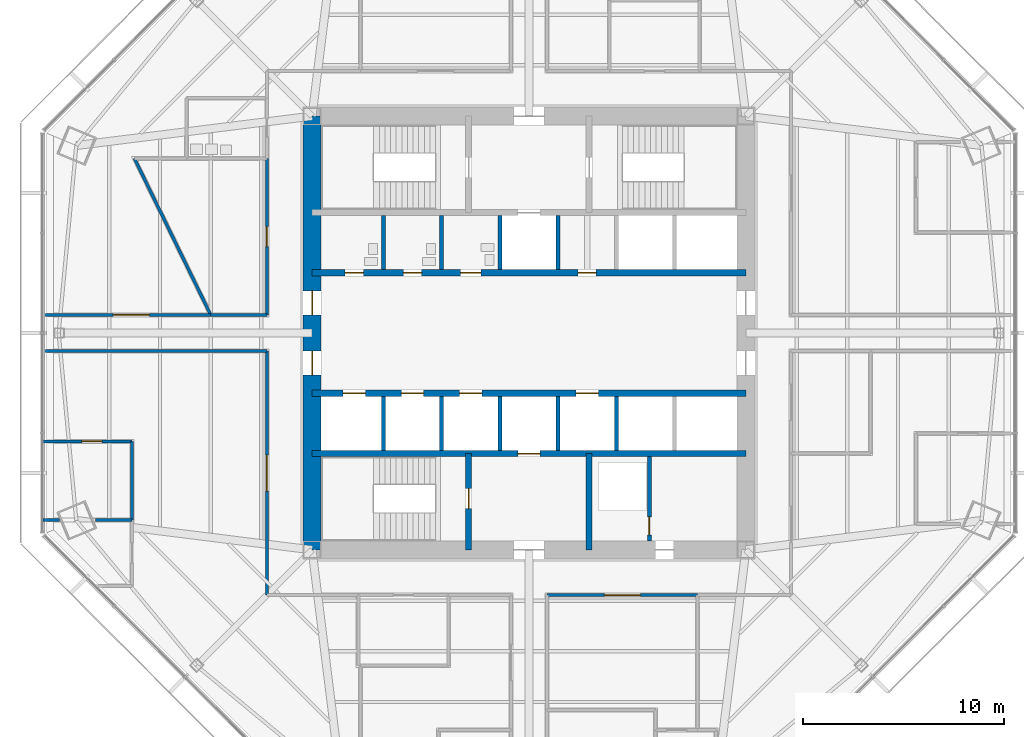
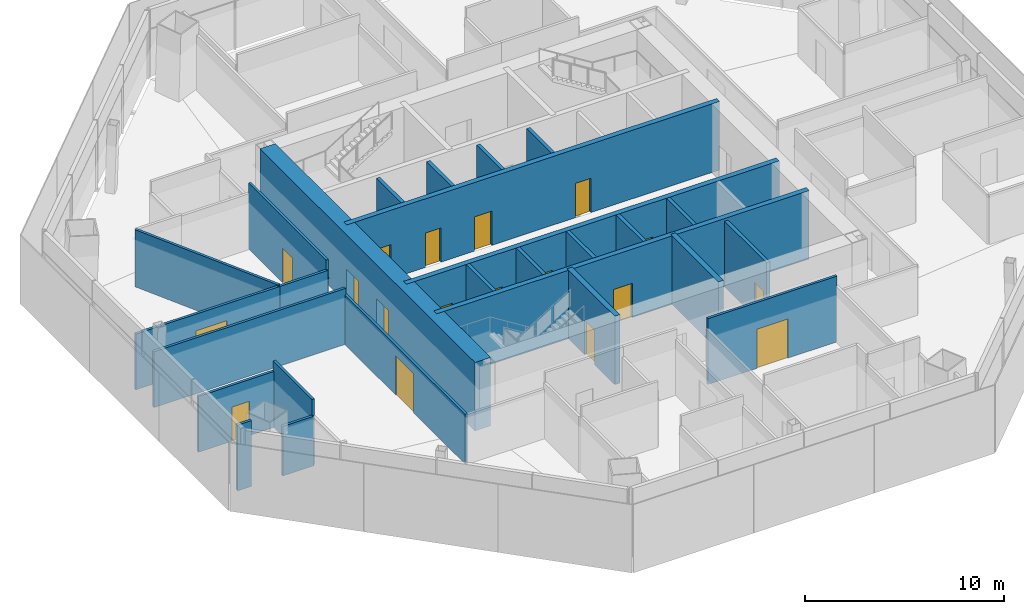
# One storey, part 9 of 14: 27 walls, 18 doors, 18 openings.
"""IFC4 building model written with IfcOpenShell, lengths in metres."""

from ifc_helpers import new_model, si_unit, direction, frame, frame_2d, origin, place, context, subcontext, project, spatial, rectangle, extrude, material, layer, layer_set, type_object, element, fill, save


model = new_model("IFC4")

# Units and contexts
model_context = context("Model", 3, precision=1e-05, world=origin(), true_north=direction((0.0, 1.0)))
body_context = subcontext(model_context, "Body", "Model", "MODEL_VIEW")
ifc_project = project(units=[si_unit("LENGTHUNIT", "METRE"), si_unit("AREAUNIT", "SQUARE_METRE"), si_unit("VOLUMEUNIT", "CUBIC_METRE"), si_unit("PLANEANGLEUNIT", "RADIAN"), si_unit("MASSUNIT", "GRAM", prefix="KILO")], contexts=[model_context])

# Site, building, storey
site_placement = place(None, origin())
site = spatial("IfcSite", under=ifc_project, at=site_placement, CompositionType="ELEMENT")
building_placement = place(site_placement, origin())
building = spatial("IfcBuilding", under=site, at=building_placement, Name="Mashrafa Tower", CompositionType="ELEMENT")
storey_placement = place(building_placement, frame((0.0, 0.0, 134.39990234375)))
storey = spatial("IfcBuildingStorey", under=building, at=storey_placement, Name="L30", CompositionType="ELEMENT", Elevation=134.39990234375)

# Wall, opening, door
ifc_material_1 = material(Name="Concrete masonry unit", Category="masonry")
ifc_layer_1 = layer(ifc_material_1, 0.199951171875)
ifc_layer_set_1 = layer_set([ifc_layer_1], Name="Blockwork wall 200 2 hr")
wall_type_1 = type_object("IfcWallType", Name="Blockwork wall 200 2 hr", PredefinedType="PARTITIONING", material=ifc_layer_set_1)
wall_1_placement = place(storey_placement, frame((6.0, -10.35009765625, 0.0), z_axis=(0.0, 0.0, 1.0), x_axis=(0.0, 1.0, 0.0)))
wall_1 = element("IfcWall", 1, at=wall_1_placement, inside=storey, type_object=wall_type_1, Name="Riser enclosure wall L30", PredefinedType="PARTITIONING", context=body_context, shape_type="SweptSolid", body=[
    extrude(rectangle(XDim=4.2001953125, YDim=0.199951171875, at=frame_2d((2.10009765625, 0.0))), origin(), (0.0, 0.0, 1.0), 4.03515625),
])
opening_1_placement = place(wall_1_placement, frame((0.300048828125, 0.0, 0.0)))
opening_1 = element("IfcOpeningElement", 2, at=opening_1_placement, cuts=wall_1, Name="Opening 30.032", PredefinedType="OPENING", context=body_context, shape_type="SweptSolid", body=[
    extrude(rectangle(XDim=0.89990234375, YDim=2.10009765625, at=frame_2d((0.449951171875, 1.050048828125))), frame((0.0, 0.10986328125, 0.0), z_axis=(0.0, -1.0, 0.0), x_axis=(1.0, 0.0, 0.0)), (0.0, 0.0, 1.0), 0.219970703125),
])
ifc_material_2 = material(Name="Steel door", Category="steel")
door_type_1 = type_object("IfcDoorType", Name="Service door 900 x 2100 90 min", OperationType="USERDEFINED", PredefinedType="DOOR", material=ifc_material_2)
door_1_placement = place(opening_1_placement, origin())
door_1 = element("IfcDoor", 3, at=door_1_placement, inside=storey, type_object=door_type_1, Name="Riser door L30", OperationType="SINGLE_SWING_LEFT", OverallHeight=2.10009765625, OverallWidth=0.89990234375, PredefinedType="DOOR", context=body_context, shape_type="SweptSolid", body=[
    extrude(rectangle(XDim=0.89990234375, YDim=2.10009765625, at=frame_2d((0.449951171875, 1.050048828125))), frame((0.0, 0.02490234375, 0.0), z_axis=(0.0, -1.0, 0.0), x_axis=(1.0, 0.0, 0.0)), (0.0, 0.0, 1.0), 0.050048828125),
])
fill(opening_1, door_1)

# Wall, openings, doors
ifc_material_3 = material(Name="Concrete C60/75", Category="concrete")
ifc_layer_2 = layer(ifc_material_3, 0.300048828125)
ifc_layer_set_2 = layer_set([ifc_layer_2], Name="Core wall 300 C60/75")
wall_type_2 = type_object("IfcWallType", Name="Core wall 300 C60/75", PredefinedType="SOLIDWALL", material=ifc_layer_set_2)
wall_2_placement = place(storey_placement, frame((-10.800048828125, 3.0, 0.0), z_axis=(0.0, 0.0, 1.0), x_axis=(1.0, 0.0, 0.0)))
wall_2 = element("IfcWall", 4, at=wall_2_placement, inside=storey, type_object=wall_type_2, Name="Core wall CH-N L30", PredefinedType="SOLIDWALL", context=body_context, shape_type="SweptSolid", body=[
    extrude(rectangle(XDim=21.60009765625, YDim=0.300048828125, at=frame_2d((10.800048828125, 0.0))), origin(), (0.0, 0.0, 1.0), 4.2001953125),
])
opening_2_placement = place(wall_2_placement, frame((1.64990234375, 0.0, 0.0)))
opening_2 = element("IfcOpeningElement", 5, at=opening_2_placement, cuts=wall_2, Name="Opening 30.033", PredefinedType="OPENING", context=body_context, shape_type="SweptSolid", body=[
    extrude(rectangle(XDim=0.89990234375, YDim=2.10009765625, at=frame_2d((0.449951171875, 1.050048828125))), frame((0.0, 0.159912109375, 0.0), z_axis=(0.0, -1.0, 0.0), x_axis=(1.0, 0.0, 0.0)), (0.0, 0.0, 1.0), 0.320068359375),
])
opening_3_placement = place(wall_2_placement, frame((4.550048828125, 0.0, 0.0)))
opening_3 = element("IfcOpeningElement", 6, at=opening_3_placement, cuts=wall_2, Name="Opening 30.034", PredefinedType="OPENING", context=body_context, shape_type="SweptSolid", body=[
    extrude(rectangle(XDim=0.89990234375, YDim=2.10009765625, at=frame_2d((0.449951171875, 1.050048828125))), frame((0.0, 0.159912109375, 0.0), z_axis=(0.0, -1.0, 0.0), x_axis=(1.0, 0.0, 0.0)), (0.0, 0.0, 1.0), 0.320068359375),
])
opening_4_placement = place(wall_2_placement, frame((7.39990234375, 0.0, 0.0)))
opening_4 = element("IfcOpeningElement", 7, at=opening_4_placement, cuts=wall_2, Name="Opening 30.035", PredefinedType="OPENING", context=body_context, shape_type="SweptSolid", body=[
    extrude(rectangle(XDim=1.0, YDim=2.10009765625, at=frame_2d((0.5, 1.050048828125))), frame((0.0, 0.159912109375, 0.0), z_axis=(0.0, -1.0, 0.0), x_axis=(1.0, 0.0, 0.0)), (0.0, 0.0, 1.0), 0.320068359375),
])
opening_5_placement = place(wall_2_placement, frame((13.25, 0.0, 0.0)))
opening_5 = element("IfcOpeningElement", 8, at=opening_5_placement, cuts=wall_2, Name="Opening 30.036", PredefinedType="OPENING", context=body_context, shape_type="SweptSolid", body=[
    extrude(rectangle(XDim=0.89990234375, YDim=2.10009765625, at=frame_2d((0.449951171875, 1.050048828125))), frame((0.0, 0.159912109375, 0.0), z_axis=(0.0, -1.0, 0.0), x_axis=(1.0, 0.0, 0.0)), (0.0, 0.0, 1.0), 0.320068359375),
])
ifc_material_4 = material(Name="Timber door", Category="wood")
door_type_2 = type_object("IfcDoorType", Name="Accessible toilet door 1000 x 2100", OperationType="USERDEFINED", PredefinedType="DOOR", material=ifc_material_4)
door_2_placement = place(opening_4_placement, origin())
door_2 = element("IfcDoor", 9, at=door_2_placement, inside=storey, type_object=door_type_2, Name="Accessible WC L30 door", OperationType="SINGLE_SWING_LEFT", OverallHeight=2.10009765625, OverallWidth=1.0, PredefinedType="DOOR", context=body_context, shape_type="SweptSolid", body=[
    extrude(rectangle(XDim=1.0, YDim=2.10009765625, at=frame_2d((0.5, 1.050048828125))), frame((0.0, 0.02490234375, 0.0), z_axis=(0.0, -1.0, 0.0), x_axis=(1.0, 0.0, 0.0)), (0.0, 0.0, 1.0), 0.050048828125),
])
fill(opening_4, door_2)
ifc_material_5 = material(Name="Timber door", Category="wood")
door_type_3 = type_object("IfcDoorType", Name="Store door 900 x 2100", OperationType="USERDEFINED", PredefinedType="DOOR", material=ifc_material_5)
door_3_placement = place(opening_5_placement, origin())
door_3 = element("IfcDoor", 10, at=door_3_placement, inside=storey, type_object=door_type_3, Name="Cleaner's Store L30 door", OperationType="SINGLE_SWING_LEFT", OverallHeight=2.10009765625, OverallWidth=0.89990234375, PredefinedType="DOOR", context=body_context, shape_type="SweptSolid", body=[
    extrude(rectangle(XDim=0.89990234375, YDim=2.10009765625, at=frame_2d((0.449951171875, 1.050048828125))), frame((0.0, 0.02490234375, 0.0), z_axis=(0.0, -1.0, 0.0), x_axis=(1.0, 0.0, 0.0)), (0.0, 0.0, 1.0), 0.050048828125),
])
fill(opening_5, door_3)
ifc_material_6 = material(Name="Timber door", Category="wood")
door_type_4 = type_object("IfcDoorType", Name="Toilet door 900 x 2100", OperationType="USERDEFINED", PredefinedType="DOOR", material=ifc_material_6)
door_4_placement = place(opening_2_placement, origin())
door_4 = element("IfcDoor", 11, at=door_4_placement, inside=storey, type_object=door_type_4, Name="WC Male L30 door", OperationType="SINGLE_SWING_RIGHT", OverallHeight=2.10009765625, OverallWidth=0.89990234375, PredefinedType="DOOR", context=body_context, shape_type="SweptSolid", body=[
    extrude(rectangle(XDim=0.89990234375, YDim=2.10009765625, at=frame_2d((0.449951171875, 1.050048828125))), frame((0.0, 0.02490234375, 0.0), z_axis=(0.0, -1.0, 0.0), x_axis=(1.0, 0.0, 0.0)), (0.0, 0.0, 1.0), 0.050048828125),
])
fill(opening_2, door_4)
door_5_placement = place(opening_3_placement, origin())
door_5 = element("IfcDoor", 12, at=door_5_placement, inside=storey, type_object=door_type_4, Name="WC Female L30 door", OperationType="SINGLE_SWING_LEFT", OverallHeight=2.10009765625, OverallWidth=0.89990234375, PredefinedType="DOOR", context=body_context, shape_type="SweptSolid", body=[
    extrude(rectangle(XDim=0.89990234375, YDim=2.10009765625, at=frame_2d((0.449951171875, 1.050048828125))), frame((0.0, 0.02490234375, 0.0), z_axis=(0.0, -1.0, 0.0), x_axis=(1.0, 0.0, 0.0)), (0.0, 0.0, 1.0), 0.050048828125),
])
fill(opening_3, door_5)

wall_3_placement = place(storey_placement, frame((-10.800048828125, -3.0, 0.0), z_axis=(0.0, 0.0, 1.0), x_axis=(1.0, 0.0, 0.0)))
wall_3 = element("IfcWall", 13, at=wall_3_placement, inside=storey, type_object=wall_type_2, Name="Core wall CH-S L30", PredefinedType="SOLIDWALL", context=body_context, shape_type="SweptSolid", body=[
    extrude(rectangle(XDim=21.60009765625, YDim=0.300048828125, at=frame_2d((10.800048828125, 0.0))), origin(), (0.0, 0.0, 1.0), 4.2001953125),
])
opening_6_placement = place(wall_3_placement, frame((1.550048828125, 0.0, 0.0)))
opening_6 = element("IfcOpeningElement", 14, at=opening_6_placement, cuts=wall_3, Name="Opening 30.B1", PredefinedType="OPENING", context=body_context, shape_type="SweptSolid", body=[
    extrude(rectangle(XDim=1.10009765625, YDim=2.10009765625, at=frame_2d((0.550048828125, 1.050048828125))), frame((0.0, 0.159912109375, 0.0), z_axis=(0.0, -1.0, 0.0), x_axis=(1.0, 0.0, 0.0)), (0.0, 0.0, 1.0), 0.320068359375),
])
opening_7_placement = place(wall_3_placement, frame((4.449951171875, 0.0, 0.0)))
opening_7 = element("IfcOpeningElement", 15, at=opening_7_placement, cuts=wall_3, Name="Opening 30.B2", PredefinedType="OPENING", context=body_context, shape_type="SweptSolid", body=[
    extrude(rectangle(XDim=1.10009765625, YDim=2.10009765625, at=frame_2d((0.550048828125, 1.050048828125))), frame((0.0, 0.159912109375, 0.0), z_axis=(0.0, -1.0, 0.0), x_axis=(1.0, 0.0, 0.0)), (0.0, 0.0, 1.0), 0.320068359375),
])
opening_8_placement = place(wall_3_placement, frame((7.35009765625, 0.0, 0.0)))
opening_8 = element("IfcOpeningElement", 16, at=opening_8_placement, cuts=wall_3, Name="Opening 30.B3", PredefinedType="OPENING", context=body_context, shape_type="SweptSolid", body=[
    extrude(rectangle(XDim=1.10009765625, YDim=2.10009765625, at=frame_2d((0.550048828125, 1.050048828125))), frame((0.0, 0.159912109375, 0.0), z_axis=(0.0, -1.0, 0.0), x_axis=(1.0, 0.0, 0.0)), (0.0, 0.0, 1.0), 0.320068359375),
])
opening_9_placement = place(wall_3_placement, frame((13.14990234375, 0.0, 0.0)))
opening_9 = element("IfcOpeningElement", 17, at=opening_9_placement, cuts=wall_3, Name="Opening 30.B4", PredefinedType="OPENING", context=body_context, shape_type="SweptSolid", body=[
    extrude(rectangle(XDim=1.10009765625, YDim=2.10009765625, at=frame_2d((0.550048828125, 1.050048828125))), frame((0.0, 0.159912109375, 0.0), z_axis=(0.0, -1.0, 0.0), x_axis=(1.0, 0.0, 0.0)), (0.0, 0.0, 1.0), 0.320068359375),
])
ifc_material_7 = material(Name="Steel door", Category="steel")
door_type_5 = type_object("IfcDoorType", Name="Lift landing door 1100 x 2100 90 min", OperationType="DOUBLE_DOOR_SLIDING", PredefinedType="DOOR", material=ifc_material_7)
door_6_placement = place(opening_6_placement, origin())
door_6 = element("IfcDoor", 18, at=door_6_placement, inside=storey, type_object=door_type_5, Name="Lift landing door B1 L30", OperationType="DOUBLE_DOOR_SLIDING", OverallHeight=2.10009765625, OverallWidth=1.10009765625, PredefinedType="DOOR", context=body_context, shape_type="SweptSolid", body=[
    extrude(rectangle(XDim=1.10009765625, YDim=2.10009765625, at=frame_2d((0.550048828125, 1.050048828125))), frame((0.0, 0.02490234375, 0.0), z_axis=(0.0, -1.0, 0.0), x_axis=(1.0, 0.0, 0.0)), (0.0, 0.0, 1.0), 0.050048828125),
])
fill(opening_6, door_6)
door_7_placement = place(opening_7_placement, origin())
door_7 = element("IfcDoor", 19, at=door_7_placement, inside=storey, type_object=door_type_5, Name="Lift landing door B2 L30", OperationType="DOUBLE_DOOR_SLIDING", OverallHeight=2.10009765625, OverallWidth=1.10009765625, PredefinedType="DOOR", context=body_context, shape_type="SweptSolid", body=[
    extrude(rectangle(XDim=1.10009765625, YDim=2.10009765625, at=frame_2d((0.550048828125, 1.050048828125))), frame((0.0, 0.02490234375, 0.0), z_axis=(0.0, -1.0, 0.0), x_axis=(1.0, 0.0, 0.0)), (0.0, 0.0, 1.0), 0.050048828125),
])
fill(opening_7, door_7)
door_8_placement = place(opening_8_placement, origin())
door_8 = element("IfcDoor", 20, at=door_8_placement, inside=storey, type_object=door_type_5, Name="Lift landing door B3 L30", OperationType="DOUBLE_DOOR_SLIDING", OverallHeight=2.10009765625, OverallWidth=1.10009765625, PredefinedType="DOOR", context=body_context, shape_type="SweptSolid", body=[
    extrude(rectangle(XDim=1.10009765625, YDim=2.10009765625, at=frame_2d((0.550048828125, 1.050048828125))), frame((0.0, 0.02490234375, 0.0), z_axis=(0.0, -1.0, 0.0), x_axis=(1.0, 0.0, 0.0)), (0.0, 0.0, 1.0), 0.050048828125),
])
fill(opening_8, door_8)
door_9_placement = place(opening_9_placement, origin())
door_9 = element("IfcDoor", 21, at=door_9_placement, inside=storey, type_object=door_type_5, Name="Lift landing door B4 L30", OperationType="DOUBLE_DOOR_SLIDING", OverallHeight=2.10009765625, OverallWidth=1.10009765625, PredefinedType="DOOR", context=body_context, shape_type="SweptSolid", body=[
    extrude(rectangle(XDim=1.10009765625, YDim=2.10009765625, at=frame_2d((0.550048828125, 1.050048828125))), frame((0.0, 0.02490234375, 0.0), z_axis=(0.0, -1.0, 0.0), x_axis=(1.0, 0.0, 0.0)), (0.0, 0.0, 1.0), 0.050048828125),
])
fill(opening_9, door_9)

# Wall, opening, door
wall_4_placement = place(storey_placement, frame((-10.800048828125, -6.0, 0.0), z_axis=(0.0, 0.0, 1.0), x_axis=(1.0, 0.0, 0.0)))
wall_4 = element("IfcWall", 22, at=wall_4_placement, inside=storey, type_object=wall_type_2, Name="Core wall CB-S L30", PredefinedType="SOLIDWALL", context=body_context, shape_type="SweptSolid", body=[
    extrude(rectangle(XDim=21.60009765625, YDim=0.300048828125, at=frame_2d((10.800048828125, 0.0))), origin(), (0.0, 0.0, 1.0), 4.2001953125),
])
opening_10_placement = place(wall_4_placement, frame((10.25, 0.0, 0.0)))
opening_10 = element("IfcOpeningElement", 23, at=opening_10_placement, cuts=wall_4, Name="Opening 30.F2", PredefinedType="OPENING", context=body_context, shape_type="SweptSolid", body=[
    extrude(rectangle(XDim=1.10009765625, YDim=2.10009765625, at=frame_2d((0.550048828125, 1.050048828125))), frame((0.0, 0.159912109375, 0.0), z_axis=(0.0, -1.0, 0.0), x_axis=(1.0, 0.0, 0.0)), (0.0, 0.0, 1.0), 0.320068359375),
])
door_10_placement = place(opening_10_placement, origin())
door_10 = element("IfcDoor", 24, at=door_10_placement, inside=storey, type_object=door_type_5, Name="Lift landing door F2 L30", OperationType="DOUBLE_DOOR_SLIDING", OverallHeight=2.10009765625, OverallWidth=1.10009765625, PredefinedType="DOOR", context=body_context, shape_type="SweptSolid", body=[
    extrude(rectangle(XDim=1.10009765625, YDim=2.10009765625, at=frame_2d((0.550048828125, 1.050048828125))), frame((0.0, 0.02490234375, 0.0), z_axis=(0.0, -1.0, 0.0), x_axis=(1.0, 0.0, 0.0)), (0.0, 0.0, 1.0), 0.050048828125),
])
fill(opening_10, door_10)

wall_5_placement = place(storey_placement, frame((-3.0, -6.0, 0.0), z_axis=(0.0, 0.0, 1.0), x_axis=(0.0, -1.0, 0.0)))
wall_5 = element("IfcWall", 25, at=wall_5_placement, inside=storey, type_object=wall_type_2, Name="Core wall CX-SW L30", PredefinedType="SOLIDWALL", context=body_context, shape_type="SweptSolid", body=[
    extrude(rectangle(XDim=4.800048828125, YDim=0.300048828125, at=frame_2d((2.39990234375, 0.0))), origin(), (0.0, 0.0, 1.0), 4.2001953125),
])
opening_11_placement = place(wall_5_placement, frame((1.75, 0.0, 0.0)))
opening_11 = element("IfcOpeningElement", 26, at=opening_11_placement, cuts=wall_5, Name="Opening 30.030", PredefinedType="OPENING", context=body_context, shape_type="SweptSolid", body=[
    extrude(rectangle(XDim=1.0, YDim=2.10009765625, at=frame_2d((0.5, 1.050048828125))), frame((0.0, 0.159912109375, 0.0), z_axis=(0.0, -1.0, 0.0), x_axis=(1.0, 0.0, 0.0)), (0.0, 0.0, 1.0), 0.320068359375),
])
ifc_material_8 = material(Name="Steel door", Category="steel")
door_type_6 = type_object("IfcDoorType", Name="Stair door 1000 x 2100 90 min", OperationType="USERDEFINED", PredefinedType="DOOR", material=ifc_material_8)
door_11_placement = place(opening_11_placement, frame((1.0, 0.0, 0.0), z_axis=(0.0, 0.0, 1.0), x_axis=(-1.0, 0.0, 0.0)))
door_11 = element("IfcDoor", 27, at=door_11_placement, inside=storey, type_object=door_type_6, Name="Stair S3 door L30", OperationType="SINGLE_SWING_RIGHT", OverallHeight=2.10009765625, OverallWidth=1.0, PredefinedType="DOOR", context=body_context, shape_type="SweptSolid", body=[
    extrude(rectangle(XDim=1.0, YDim=2.10009765625, at=frame_2d((0.5, 1.050048828125))), frame((0.0, 0.02490234375, 0.0), z_axis=(0.0, -1.0, 0.0), x_axis=(1.0, 0.0, 0.0)), (0.0, 0.0, 1.0), 0.050048828125),
])
fill(opening_11, door_11)

# Wall
wall_6_placement = place(storey_placement, frame((3.0, -6.0, 0.0), z_axis=(0.0, 0.0, 1.0), x_axis=(0.0, -1.0, 0.0)))
element("IfcWall", 28, at=wall_6_placement, inside=storey, type_object=wall_type_2, Name="Core wall CX-SE L30", PredefinedType="SOLIDWALL", context=body_context, shape_type="SweptSolid", body=[
    extrude(rectangle(XDim=4.800048828125, YDim=0.300048828125, at=frame_2d((2.39990234375, 0.0))), origin(), (0.0, 0.0, 1.0), 4.2001953125),
])

# Wall, openings, doors
ifc_material_9 = material(Name="Concrete C60/75", Category="concrete")
ifc_layer_3 = layer(ifc_material_9, 0.89990234375)
ifc_layer_set_3 = layer_set([ifc_layer_3], Name="Core wall 900 C60/75")
wall_type_3 = type_object("IfcWallType", Name="Core wall 900 C60/75", PredefinedType="SOLIDWALL", material=ifc_layer_set_3)
wall_7_placement = place(storey_placement, frame((-10.800048828125, 10.800048828125, 0.0), z_axis=(0.0, 0.0, 1.0), x_axis=(0.0, -1.0, 0.0)))
wall_7 = element("IfcWall", 29, at=wall_7_placement, inside=storey, type_object=wall_type_3, Name="Core wall CW-W L30", PredefinedType="SOLIDWALL", context=body_context, shape_type="SweptSolid", body=[
    extrude(rectangle(XDim=21.60009765625, YDim=0.89990234375, at=frame_2d((10.800048828125, 0.0))), origin(), (0.0, 0.0, 1.0), 4.2001953125),
])
opening_12_placement = place(wall_7_placement, frame((8.699951171875, 0.0, 0.0)))
opening_12 = element("IfcOpeningElement", 30, at=opening_12_placement, cuts=wall_7, Name="Opening 30.023", PredefinedType="OPENING", context=body_context, shape_type="SweptSolid", body=[
    extrude(rectangle(XDim=1.199951171875, YDim=2.10009765625, at=frame_2d((0.60009765625, 1.050048828125))), frame((0.0, 0.4599609375, 0.0), z_axis=(0.0, -1.0, 0.0), x_axis=(1.0, 0.0, 0.0)), (0.0, 0.0, 1.0), 0.919921875),
])
opening_13_placement = place(wall_7_placement, frame((11.699951171875, 0.0, 0.0)))
opening_13 = element("IfcOpeningElement", 31, at=opening_13_placement, cuts=wall_7, Name="Opening 30.025", PredefinedType="OPENING", context=body_context, shape_type="SweptSolid", body=[
    extrude(rectangle(XDim=1.199951171875, YDim=2.10009765625, at=frame_2d((0.60009765625, 1.050048828125))), frame((0.0, 0.4599609375, 0.0), z_axis=(0.0, -1.0, 0.0), x_axis=(1.0, 0.0, 0.0)), (0.0, 0.0, 1.0), 0.919921875),
])
ifc_material_10 = material(Name="Steel door", Category="steel")
door_type_7 = type_object("IfcDoorType", Name="Lift hall door 1200 x 2100 90 min", OperationType="USERDEFINED", PredefinedType="DOOR", material=ifc_material_10)
door_12_placement = place(opening_12_placement, frame((1.199951171875, 0.0, 0.0), z_axis=(0.0, 0.0, 1.0), x_axis=(-1.0, 0.0, 0.0)))
door_12 = element("IfcDoor", 32, at=door_12_placement, inside=storey, type_object=door_type_7, Name="Lift hall door west L30", OperationType="SINGLE_SWING_RIGHT", OverallHeight=2.10009765625, OverallWidth=1.199951171875, PredefinedType="DOOR", context=body_context, shape_type="SweptSolid", body=[
    extrude(rectangle(XDim=1.199951171875, YDim=2.10009765625, at=frame_2d((0.60009765625, 1.050048828125))), frame((0.0, 0.02490234375, 0.0), z_axis=(0.0, -1.0, 0.0), x_axis=(1.0, 0.0, 0.0)), (0.0, 0.0, 1.0), 0.050048828125),
])
fill(opening_12, door_12)
door_13_placement = place(opening_13_placement, frame((1.199951171875, 0.0, 0.0), z_axis=(0.0, 0.0, 1.0), x_axis=(-1.0, 0.0, 0.0)))
door_13 = element("IfcDoor", 33, at=door_13_placement, inside=storey, type_object=door_type_7, Name="Lift hall door west L30", OperationType="SINGLE_SWING_LEFT", OverallHeight=2.10009765625, OverallWidth=1.199951171875, PredefinedType="DOOR", context=body_context, shape_type="SweptSolid", body=[
    extrude(rectangle(XDim=1.199951171875, YDim=2.10009765625, at=frame_2d((0.60009765625, 1.050048828125))), frame((0.0, 0.02490234375, 0.0), z_axis=(0.0, -1.0, 0.0), x_axis=(1.0, 0.0, 0.0)), (0.0, 0.0, 1.0), 0.050048828125),
])
fill(opening_13, door_13)

# Wall, opening, door
ifc_material_11 = material(Name="Gypsum board on steel studs", Category="steel")
ifc_layer_4 = layer(ifc_material_11, 0.14990234375)
ifc_layer_set_4 = layer_set([ifc_layer_4], Name="Corridor partition 150 1 hr")
wall_type_4 = type_object("IfcWallType", Name="Corridor partition 150 1 hr", PredefinedType="PARTITIONING", material=ifc_layer_set_4)
wall_8_placement = place(storey_placement, frame((-13.050048828125, 8.700927734375, 0.0), z_axis=(0.0, 0.0, 1.0), x_axis=(0.0, -1.0, 0.0)))
wall_8 = element("IfcWall", 34, at=wall_8_placement, inside=storey, type_object=wall_type_4, Name="Corridor wall L30-001", PredefinedType="PARTITIONING", context=body_context, shape_type="SweptSolid", body=[
    extrude(rectangle(XDim=7.801025390625, YDim=0.14990234375, at=frame_2d((3.900390625, 0.0))), origin(), (0.0, 0.0, 1.0), 4.03515625),
])
opening_14_placement = place(wall_8_placement, frame((3.400390625, 0.0, 0.0)))
opening_14 = element("IfcOpeningElement", 35, at=opening_14_placement, cuts=wall_8, Name="Opening 30.001", PredefinedType="OPENING", context=body_context, shape_type="SweptSolid", body=[
    extrude(rectangle(XDim=1.0, YDim=2.10009765625, at=frame_2d((0.5, 1.050048828125))), frame((0.0, 0.0849609375, 0.0), z_axis=(0.0, -1.0, 0.0), x_axis=(1.0, 0.0, 0.0)), (0.0, 0.0, 1.0), 0.169921875),
])
ifc_material_12 = material(Name="Timber door", Category="wood")
door_type_8 = type_object("IfcDoorType", Name="Door 1000 x 2100", OperationType="USERDEFINED", PredefinedType="DOOR", material=ifc_material_12)
door_14_placement = place(opening_14_placement, frame((1.0, 0.0, 0.0), z_axis=(0.0, 0.0, 1.0), x_axis=(-1.0, 0.0, 0.0)))
door_14 = element("IfcDoor", 36, at=door_14_placement, inside=storey, type_object=door_type_8, Name="Musallah Prayer Room 30 door", OperationType="SINGLE_SWING_LEFT", OverallHeight=2.10009765625, OverallWidth=1.0, PredefinedType="DOOR", context=body_context, shape_type="SweptSolid", body=[
    extrude(rectangle(XDim=1.0, YDim=2.10009765625, at=frame_2d((0.5, 1.050048828125))), frame((0.0, 0.02490234375, 0.0), z_axis=(0.0, -1.0, 0.0), x_axis=(1.0, 0.0, 0.0)), (0.0, 0.0, 1.0), 0.050048828125),
])
fill(opening_14, door_14)

# Wall
wall_9_placement = place(storey_placement, frame((-13.050048828125, 0.89990234375, 0.0), z_axis=(0.0, 0.0, 1.0), x_axis=(-1.0, 0.0, 0.0)))
element("IfcWall", 37, at=wall_9_placement, inside=storey, type_object=wall_type_4, Name="Corridor wall L30-002", PredefinedType="PARTITIONING", context=body_context, shape_type="SweptSolid", body=[
    extrude(rectangle(XDim=2.796630859375, YDim=0.14990234375, at=frame_2d((1.3984375, 0.0))), origin(), (0.0, 0.0, 1.0), 3.42578125),
])

# Wall, opening, door
wall_10_placement = place(storey_placement, frame((-15.844482421875, 0.89990234375, 0.0), z_axis=(0.0, 0.0, 1.0), x_axis=(-1.0, 0.0, 0.0)))
wall_10 = element("IfcWall", 38, at=wall_10_placement, inside=storey, type_object=wall_type_4, Name="Corridor wall L30-016", PredefinedType="PARTITIONING", context=body_context, shape_type="SweptSolid", body=[
    extrude(rectangle(XDim=8.352294921875, YDim=0.14990234375, at=frame_2d((4.17626953125, 0.0))), origin(), (0.0, 0.0, 1.0), 3.42578125),
])
opening_15_placement = place(wall_10_placement, frame((3.05908203125, 0.0, 0.0)))
opening_15 = element("IfcOpeningElement", 39, at=opening_15_placement, cuts=wall_10, Name="Opening 30.016", PredefinedType="OPENING", context=body_context, shape_type="SweptSolid", body=[
    extrude(rectangle(XDim=1.800048828125, YDim=2.39990234375, at=frame_2d((0.89990234375, 1.199951171875))), frame((0.0, 0.0849609375, 0.0), z_axis=(0.0, -1.0, 0.0), x_axis=(1.0, 0.0, 0.0)), (0.0, 0.0, 1.0), 0.169921875),
])
ifc_material_13 = material(Name="Timber door", Category="wood")
door_type_9 = type_object("IfcDoorType", Name="Door pair 1800 x 2400", OperationType="DOUBLE_DOOR_SINGLE_SWING", PredefinedType="DOOR", material=ifc_material_13)
door_15_placement = place(opening_15_placement, frame((1.800048828125, 0.0, 0.0), z_axis=(0.0, 0.0, 1.0), x_axis=(-1.0, 0.0, 0.0)))
door_15 = element("IfcDoor", 40, at=door_15_placement, inside=storey, type_object=door_type_9, Name="Office Tenancy 30-N-NW1 door", OperationType="DOUBLE_DOOR_SINGLE_SWING", OverallHeight=2.39990234375, OverallWidth=1.800048828125, PredefinedType="DOOR", context=body_context, shape_type="SweptSolid", body=[
    extrude(rectangle(XDim=1.800048828125, YDim=2.39990234375, at=frame_2d((0.89990234375, 1.199951171875))), frame((0.0, 0.02490234375, 0.0), z_axis=(0.0, -1.0, 0.0), x_axis=(1.0, 0.0, 0.0)), (0.0, 0.0, 1.0), 0.050048828125),
])
fill(opening_15, door_15)

# Wall
wall_11_placement = place(storey_placement, frame((-24.194580078125, -0.89990234375, 0.0), z_axis=(0.0, 0.0, 1.0), x_axis=(1.0, 0.0, 0.0)))
element("IfcWall", 41, at=wall_11_placement, inside=storey, type_object=wall_type_4, Name="Corridor wall L30-021", PredefinedType="PARTITIONING", context=body_context, shape_type="SweptSolid", body=[
    extrude(rectangle(XDim=11.14453125, YDim=0.14990234375, at=frame_2d((5.572265625, 0.0))), origin(), (0.0, 0.0, 1.0), 3.42578125),
])

# Wall, opening, door
wall_12_placement = place(storey_placement, frame((-13.050048828125, -0.89990234375, 0.0), z_axis=(0.0, 0.0, 1.0), x_axis=(0.0, -1.0, 0.0)))
wall_12 = element("IfcWall", 42, at=wall_12_placement, inside=storey, type_object=wall_type_4, Name="Corridor wall L30-022", PredefinedType="PARTITIONING", context=body_context, shape_type="SweptSolid", body=[
    extrude(rectangle(XDim=12.150146484375, YDim=0.14990234375, at=frame_2d((6.0751953125, 0.0))), origin(), (0.0, 0.0, 1.0), 3.0419921875),
])
opening_16_placement = place(wall_12_placement, frame((5.175048828125, 0.0, 0.0)))
opening_16 = element("IfcOpeningElement", 43, at=opening_16_placement, cuts=wall_12, Name="Opening 30.018", PredefinedType="OPENING", context=body_context, shape_type="SweptSolid", body=[
    extrude(rectangle(XDim=1.800048828125, YDim=2.39990234375, at=frame_2d((0.89990234375, 1.199951171875))), frame((0.0, 0.0849609375, 0.0), z_axis=(0.0, -1.0, 0.0), x_axis=(1.0, 0.0, 0.0)), (0.0, 0.0, 1.0), 0.169921875),
])
door_16_placement = place(opening_16_placement, frame((1.800048828125, 0.0, 0.0), z_axis=(0.0, 0.0, 1.0), x_axis=(-1.0, 0.0, 0.0)))
door_16 = element("IfcDoor", 44, at=door_16_placement, inside=storey, type_object=door_type_9, Name="Office Tenancy 30-S-SW1 door", OperationType="DOUBLE_DOOR_SINGLE_SWING", OverallHeight=2.39990234375, OverallWidth=1.800048828125, PredefinedType="DOOR", context=body_context, shape_type="SweptSolid", body=[
    extrude(rectangle(XDim=1.800048828125, YDim=2.39990234375, at=frame_2d((0.89990234375, 1.199951171875))), frame((0.0, 0.02490234375, 0.0), z_axis=(0.0, -1.0, 0.0), x_axis=(1.0, 0.0, 0.0)), (0.0, 0.0, 1.0), 0.050048828125),
])
fill(opening_16, door_16)

wall_13_placement = place(storey_placement, frame((0.89990234375, -13.050048828125, 0.0), z_axis=(0.0, 0.0, 1.0), x_axis=(1.0, 0.0, 0.0)))
wall_13 = element("IfcWall", 45, at=wall_13_placement, inside=storey, type_object=wall_type_4, Name="Corridor wall L30-030", PredefinedType="PARTITIONING", context=body_context, shape_type="SweptSolid", body=[
    extrude(rectangle(XDim=7.5009765625, YDim=0.14990234375, at=frame_2d((3.75048828125, 0.0))), origin(), (0.0, 0.0, 1.0), 4.03515625),
])
opening_17_placement = place(wall_13_placement, frame((2.8505859375, 0.0, 0.0)))
opening_17 = element("IfcOpeningElement", 46, at=opening_17_placement, cuts=wall_13, Name="Opening 30.021", PredefinedType="OPENING", context=body_context, shape_type="SweptSolid", body=[
    extrude(rectangle(XDim=1.800048828125, YDim=2.39990234375, at=frame_2d((0.89990234375, 1.199951171875))), frame((0.0, 0.0849609375, 0.0), z_axis=(0.0, -1.0, 0.0), x_axis=(1.0, 0.0, 0.0)), (0.0, 0.0, 1.0), 0.169921875),
])
door_17_placement = place(opening_17_placement, frame((1.800048828125, 0.0, 0.0), z_axis=(0.0, 0.0, 1.0), x_axis=(-1.0, 0.0, 0.0)))
door_17 = element("IfcDoor", 47, at=door_17_placement, inside=storey, type_object=door_type_9, Name="Office Tenancy 30-S-SE2 door", OperationType="DOUBLE_DOOR_SINGLE_SWING", OverallHeight=2.39990234375, OverallWidth=1.800048828125, PredefinedType="DOOR", context=body_context, shape_type="SweptSolid", body=[
    extrude(rectangle(XDim=1.800048828125, YDim=2.39990234375, at=frame_2d((0.89990234375, 1.199951171875))), frame((0.0, 0.02490234375, 0.0), z_axis=(0.0, -1.0, 0.0), x_axis=(1.0, 0.0, 0.0)), (0.0, 0.0, 1.0), 0.050048828125),
])
fill(opening_17, door_17)

# Walls
ifc_material_14 = material(Name="Gypsum board on steel studs", Category="steel")
ifc_layer_5 = layer(ifc_material_14, 0.14990234375)
ifc_layer_set_5 = layer_set([ifc_layer_5], Name="Partition 150")
wall_type_5 = type_object("IfcWallType", Name="Partition 150", PredefinedType="PARTITIONING", material=ifc_layer_set_5)
wall_14_placement = place(storey_placement, frame((-19.64990234375, 8.699951171875, 0.0), z_axis=(0.0, 0.0, 1.0), x_axis=(0.438358227548, -0.898800347319, 0.0)))
element("IfcWall", 48, at=wall_14_placement, inside=storey, type_object=wall_type_5, Name="Partition wall L30-033", PredefinedType="PARTITIONING", context=body_context, shape_type="SweptSolid", body=[
    extrude(rectangle(XDim=8.67822265625, YDim=0.14990234375, at=frame_2d((4.339111328125, 0.0))), origin(), (0.0, 0.0, 1.0), 3.499267578125),
])
wall_15_placement = place(storey_placement, frame((-24.194580078125, -9.30908203125, 0.0), z_axis=(0.0, 0.0, 1.0), x_axis=(1.0, 0.0, 0.0)))
element("IfcWall", 49, at=wall_15_placement, inside=storey, type_object=wall_type_5, Name="Partition wall L30-063", PredefinedType="PARTITIONING", context=body_context, shape_type="SweptSolid", body=[
    extrude(rectangle(XDim=0.81689453125, YDim=0.14990234375, at=frame_2d((0.408447265625, 0.0))), origin(), (0.0, 0.0, 1.0), 4.03515625),
])
wall_16_placement = place(storey_placement, frame((-21.572998046875, -9.30908203125, 0.0), z_axis=(0.0, 0.0, 1.0), x_axis=(1.0, 0.0, 0.0)))
element("IfcWall", 50, at=wall_16_placement, inside=storey, type_object=wall_type_5, Name="Partition wall L30-064", PredefinedType="PARTITIONING", context=body_context, shape_type="SweptSolid", body=[
    extrude(rectangle(XDim=1.810302734375, YDim=0.14990234375, at=frame_2d((0.9052734375, 0.0))), origin(), (0.0, 0.0, 1.0), 3.0419921875),
])
wall_17_placement = place(storey_placement, frame((-19.7626953125, -9.30908203125, 0.0), z_axis=(0.0, 0.0, 1.0), x_axis=(0.0, 1.0, 0.0)))
element("IfcWall", 51, at=wall_17_placement, inside=storey, type_object=wall_type_5, Name="Partition wall L30-065", PredefinedType="PARTITIONING", context=body_context, shape_type="SweptSolid", body=[
    extrude(rectangle(XDim=3.9091796875, YDim=0.14990234375, at=frame_2d((1.95458984375, 0.0))), origin(), (0.0, 0.0, 1.0), 4.03515625),
])

# Wall, opening, door
wall_18_placement = place(storey_placement, frame((-19.7626953125, -5.39990234375, 0.0), z_axis=(0.0, 0.0, 1.0), x_axis=(-1.0, 0.0, 0.0)))
wall_18 = element("IfcWall", 52, at=wall_18_placement, inside=storey, type_object=wall_type_5, Name="Partition wall L30-066", PredefinedType="PARTITIONING", context=body_context, shape_type="SweptSolid", body=[
    extrude(rectangle(XDim=4.43408203125, YDim=0.14990234375, at=frame_2d((2.217041015625, 0.0))), origin(), (0.0, 0.0, 1.0), 3.42578125),
])
opening_18_placement = place(wall_18_placement, frame((1.5, 0.0, 0.0)))
opening_18 = element("IfcOpeningElement", 53, at=opening_18_placement, cuts=wall_18, Name="Opening 30.012", PredefinedType="OPENING", context=body_context, shape_type="SweptSolid", body=[
    extrude(rectangle(XDim=1.0, YDim=2.10009765625, at=frame_2d((0.5, 1.050048828125))), frame((0.0, 0.0849609375, 0.0), z_axis=(0.0, -1.0, 0.0), x_axis=(1.0, 0.0, 0.0)), (0.0, 0.0, 1.0), 0.169921875),
])
door_18_placement = place(opening_18_placement, origin())
door_18 = element("IfcDoor", 54, at=door_18_placement, inside=storey, type_object=door_type_8, Name="Office 30-S-SW1-1 door", OperationType="SINGLE_SWING_LEFT", OverallHeight=2.10009765625, OverallWidth=1.0, PredefinedType="DOOR", context=body_context, shape_type="SweptSolid", body=[
    extrude(rectangle(XDim=1.0, YDim=2.10009765625, at=frame_2d((0.5, 1.050048828125))), frame((0.0, 0.02490234375, 0.0), z_axis=(0.0, -1.0, 0.0), x_axis=(1.0, 0.0, 0.0)), (0.0, 0.0, 1.0), 0.050048828125),
])
fill(opening_18, door_18)

# Walls
ifc_material_15 = material(Name="Gypsum shaft wall on steel studs", Category="steel")
ifc_layer_6 = layer(ifc_material_15, 0.199951171875)
ifc_layer_set_6 = layer_set([ifc_layer_6], Name="Shaft divider wall 200 2 hr")
wall_type_6 = type_object("IfcWallType", Name="Shaft divider wall 200 2 hr", PredefinedType="PARTITIONING", material=ifc_layer_set_6)
for number, where, z_axis, x_axis, name in (
    (55, (-7.25, 3.14990234375, 0.0), (0.0, 0.0, 1.0), (0.0, 1.0, 0.0), "Shaft divider wall N1 L30"),
    (56, (-4.35009765625, 3.14990234375, 0.0), (0.0, 0.0, 1.0), (0.0, 1.0, 0.0), "Shaft divider wall N2 L30"),
    (57, (-1.449951171875, 3.14990234375, 0.0), (0.0, 0.0, 1.0), (0.0, 1.0, 0.0), "Shaft divider wall N3 L30"),
    (58, (1.449951171875, 3.14990234375, 0.0), (0.0, 0.0, 1.0), (0.0, 1.0, 0.0), "Shaft divider wall N4 L30"),
):
    element("IfcWall", number, at=place(storey_placement, frame(where, z_axis=z_axis, x_axis=x_axis)), inside=storey, type_object=wall_type_6, Name=name, PredefinedType="PARTITIONING", context=body_context, shape_type="SweptSolid", body=[
        extrude(rectangle(XDim=2.7001953125, YDim=0.199951171875, at=frame_2d((1.35009765625, 0.0))), origin(), (0.0, 0.0, 1.0), 4.03515625),
    ])
for number, where, z_axis, x_axis, name in (
    (59, (-7.25, -5.85009765625, 0.0), (0.0, 0.0, 1.0), (0.0, 1.0, 0.0), "Shaft divider wall S1 L30"),
    (60, (-4.35009765625, -5.85009765625, 0.0), (0.0, 0.0, 1.0), (0.0, 1.0, 0.0), "Shaft divider wall S2 L30"),
    (61, (-1.449951171875, -5.85009765625, 0.0), (0.0, 0.0, 1.0), (0.0, 1.0, 0.0), "Shaft divider wall S3 L30"),
    (62, (1.449951171875, -5.85009765625, 0.0), (0.0, 0.0, 1.0), (0.0, 1.0, 0.0), "Shaft divider wall S4 L30"),
    (63, (4.35009765625, -5.85009765625, 0.0), (0.0, 0.0, 1.0), (0.0, 1.0, 0.0), "Shaft divider wall S5 L30"),
):
    element("IfcWall", number, at=place(storey_placement, frame(where, z_axis=z_axis, x_axis=x_axis)), inside=storey, type_object=wall_type_6, Name=name, PredefinedType="PARTITIONING", context=body_context, shape_type="SweptSolid", body=[
        extrude(rectangle(XDim=2.7001953125, YDim=0.199951171875, at=frame_2d((1.35009765625, 0.0))), origin(), (0.0, 0.0, 1.0), 4.2001953125),
    ])

save(model, "model.ifc")
